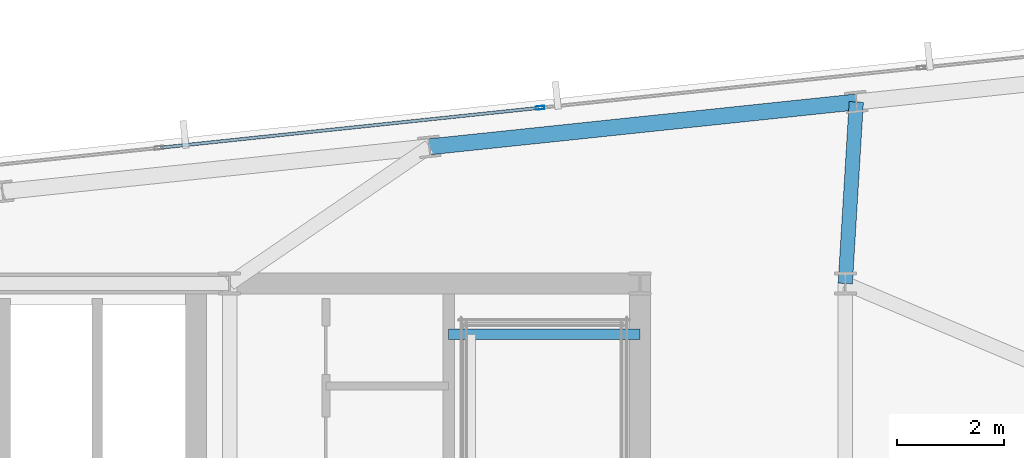
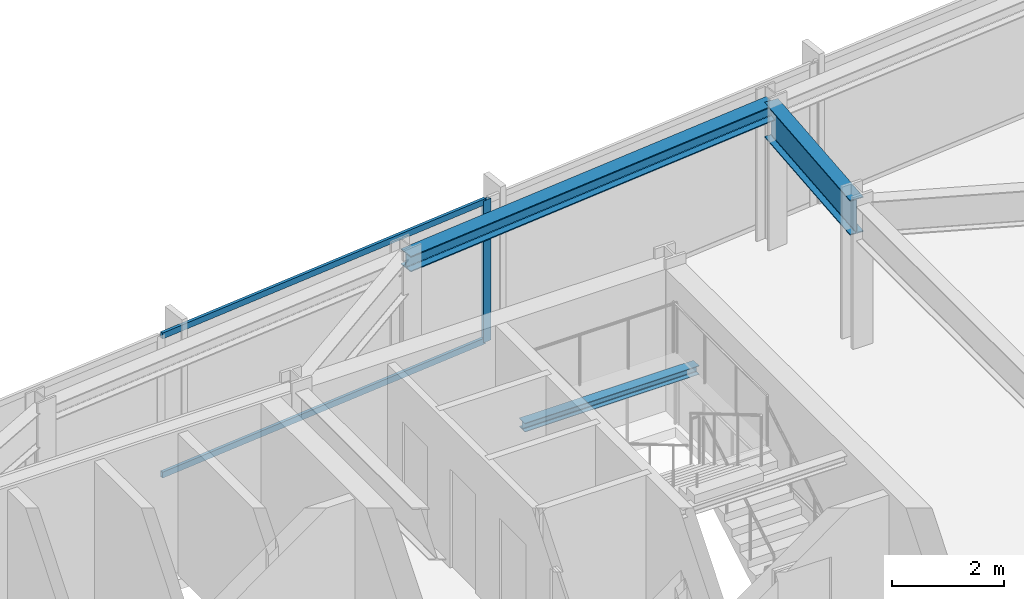
# One storey, part 23 of 32: 3 beams, 3 members, 1 element without a shape of its own.
"""IFC4 building model written with IfcOpenShell, lengths in metres."""

from ifc_helpers import new_model, si_unit, direction, frame, origin, origin_2d, place, context, subcontext, project, spatial, hollow_rectangle, i_section, extrude, material, material_profile, profile_set, type_object, element, aggregate, save


model = new_model("IFC4")

# Units and contexts
model_context = context("Model", 3, precision=1e-05, world=origin(), true_north=direction((0.0, 1.0)))
body_context = subcontext(model_context, "Body", "Model", "MODEL_VIEW")
ifc_project = project(units=[si_unit("LENGTHUNIT", "METRE"), si_unit("AREAUNIT", "SQUARE_METRE"), si_unit("VOLUMEUNIT", "CUBIC_METRE"), si_unit("PLANEANGLEUNIT", "RADIAN"), si_unit("MASSUNIT", "GRAM", prefix="KILO")], contexts=[model_context])

# Site, building, storey
site_placement = place(None, origin())
site = spatial("IfcSite", under=ifc_project, at=site_placement, CompositionType="ELEMENT")
building_placement = place(site_placement, origin())
building = spatial("IfcBuilding", under=site, at=building_placement, Name="Yelkora Congress Tower", CompositionType="ELEMENT")
storey_placement = place(building_placement, frame((0.0, 0.0, 207.800048828125)))
storey = spatial("IfcBuildingStorey", under=building, at=storey_placement, Name="L57", CompositionType="ELEMENT", Elevation=207.800048828125)

# Beams
ifc_material_1 = material(Name="Steel S355J2", Category="steel")
ifc_material_profile_1 = material_profile(ifc_material_1, i_section(OverallWidth=0.26708984375, OverallDepth=0.761962890625, WebThickness=0.014404296875, FlangeThickness=0.021484375, FilletRadius=0.01708984375, at=origin_2d()), Name="IPE 750x173")
ifc_profile_set_1 = profile_set([ifc_material_profile_1], Name="Steel S355J2")
beam_type_1 = type_object("IfcBeamType", Name="BM-GIRD-IPE750", PredefinedType="BEAM", material=ifc_profile_set_1)
beam_1_placement = place(storey_placement, frame((57.806640625, 49.5966796875, 2.698974609375), z_axis=(-0.060694337224, -0.998156399283, 0.0), x_axis=(0.998156399283, -0.060694337224, 0.0)))
element("IfcBeam", 1, at=beam_1_placement, inside=storey, type_object=beam_type_1, Name="L57 Primary Frame Girder N06", PredefinedType="BEAM", context=body_context, shape_type="SweptSolid", body=[
    extrude(i_section(OverallWidth=0.26708984375, OverallDepth=0.761962890625, WebThickness=0.014404296875, FlangeThickness=0.021484375, FilletRadius=0.01708984375, at=origin_2d()), origin(), (0.0, 0.0, 1.0), 3.403076171875),
])
ifc_material_profile_2 = material_profile(ifc_material_1, i_section(OverallWidth=0.199951171875, OverallDepth=0.18994140625, WebThickness=0.006591796875, FlangeThickness=0.010009765625, FilletRadius=0.01806640625, at=origin_2d()), Name="HEA 200")
ifc_profile_set_2 = profile_set([ifc_material_profile_2], Name="Steel S355J2")
beam_type_2 = type_object("IfcBeamType", Name="BM-LAND-HEA200", PredefinedType="BEAM", material=ifc_profile_set_2)
beam_2_placement = place(storey_placement, frame((50.179931640625, 45.25, 1.33447265625), z_axis=(1.0, 0.0, 0.0), x_axis=(0.0, 1.0, 0.0)))
element("IfcBeam", 2, at=beam_2_placement, inside=storey, type_object=beam_type_2, Name="ST-02 L57 Landing Header Beam 1N", PredefinedType="BEAM", context=body_context, shape_type="SweptSolid", body=[
    extrude(i_section(OverallWidth=0.199951171875, OverallDepth=0.18994140625, WebThickness=0.006591796875, FlangeThickness=0.010009765625, FilletRadius=0.01806640625, at=origin_2d()), origin(), (0.0, 0.0, 1.0), 3.580078125),
])
ifc_material_profile_3 = material_profile(ifc_material_1, i_section(OverallWidth=0.300048828125, OverallDepth=0.340087890625, WebThickness=0.011962890625, FlangeThickness=0.021484375, FilletRadius=0.027099609375, at=origin_2d()), Name="HEB 340")
ifc_profile_set_3 = profile_set([ifc_material_profile_3], Name="Steel S355J2")
beam_type_3 = type_object("IfcBeamType", Name="BM-SPAN-HEB340", PredefinedType="SPANDREL", material=ifc_profile_set_3)
beam_3_placement = place(storey_placement, frame((57.806640625, 49.5966796875, 2.909912109375), z_axis=(-0.994523256947, -0.104515507904, 0.0), x_axis=(0.104515507904, -0.994523256947, 0.0)))
element("IfcBeam", 3, at=beam_3_placement, inside=storey, type_object=beam_type_3, Name="L57 Perimeter Beam 14", PredefinedType="SPANDREL", context=body_context, shape_type="SweptSolid", body=[
    extrude(i_section(OverallWidth=0.300048828125, OverallDepth=0.340087890625, WebThickness=0.011962890625, FlangeThickness=0.021484375, FilletRadius=0.027099609375, at=origin_2d()), origin(), (0.0, 0.0, 1.0), 8.033203125),
])

# Curtain wall, members
ifc_material_2 = material(Name="Anodised aluminium and insulated glass", Category="aluminium")
curtain_wall_type = type_object("IfcCurtainWallType", Name="CW-SYS-B4", PredefinedType="NOTDEFINED", material=ifc_material_2)
curtain_wall_placement = place(storey_placement, origin())
curtain_wall = element("IfcCurtainWall", 4, at=curtain_wall_placement, inside=storey, type_object=curtain_wall_type, Name="L57 Unitised Curtain Wall 10 (3)", PredefinedType="NOTDEFINED")
ifc_material_3 = material(Name="Anodised aluminium 6063-T6", Category="aluminium")
ifc_material_profile_4 = material_profile(ifc_material_3, hollow_rectangle(XDim=0.06494140625, YDim=0.159912109375, WallThickness=0.00390625, at=origin_2d()), Name="ALU 65x160x4")
ifc_profile_set_4 = profile_set([ifc_material_profile_4], Name="Anodised aluminium 6063-T6")
member_type_1 = type_object("IfcMemberType", Name="MEM-ML-B4", PredefinedType="MULLION", material=ifc_profile_set_4)
member_1_placement = place(storey_placement, frame((51.888916015625, 49.487548828125, 0.0), z_axis=(0.0, 0.0, 1.0), x_axis=(-0.104527724021, 0.994521973066, 0.0)))
member_1 = element("IfcMember", 5, at=member_1_placement, type_object=member_type_1, Name="CW-B4 mullion 5", PredefinedType="MULLION", context=body_context, shape_type="SweptSolid", body=[
    extrude(hollow_rectangle(XDim=0.06494140625, YDim=0.159912109375, WallThickness=0.00390625, at=origin_2d()), origin(), (0.0, 0.0, 1.0), 3.079833984375),
])
ifc_material_profile_5 = material_profile(ifc_material_3, hollow_rectangle(XDim=0.06005859375, YDim=0.1298828125, WallThickness=0.00390625, at=origin_2d()), Name="ALU 60x130x4")
ifc_profile_set_5 = profile_set([ifc_material_profile_5], Name="Anodised aluminium 6063-T6")
member_type_2 = type_object("IfcMemberType", Name="MEM-TR-B4", PredefinedType="USERDEFINED", material=ifc_profile_set_5)
member_2_placement = place(storey_placement, frame((44.79052734375, 48.74169921875, 0.030029296875), z_axis=(0.99452200925, 0.104527379751, 0.0), x_axis=(-0.104527379751, 0.99452200925, 0.0)))
member_2 = element("IfcMember", 6, at=member_2_placement, type_object=member_type_2, Name="CW-B4 transom 4.1", ObjectType="TRANSOM", PredefinedType="USERDEFINED", context=body_context, shape_type="SweptSolid", body=[
    extrude(hollow_rectangle(XDim=0.06005859375, YDim=0.1298828125, WallThickness=0.00390625, at=origin_2d()), origin(), (0.0, 0.0, 1.0), 7.10498046875),
])
member_3_placement = place(storey_placement, frame((44.79052734375, 48.74169921875, 3.050048828125), z_axis=(0.99452200925, 0.104527379751, 0.0), x_axis=(-0.104527379751, 0.99452200925, 0.0)))
member_3 = element("IfcMember", 7, at=member_3_placement, type_object=member_type_2, Name="CW-B4 transom 4.2", ObjectType="TRANSOM", PredefinedType="USERDEFINED", context=body_context, shape_type="SweptSolid", body=[
    extrude(hollow_rectangle(XDim=0.06005859375, YDim=0.1298828125, WallThickness=0.00390625, at=origin_2d()), origin(), (0.0, 0.0, 1.0), 7.10498046875),
])
aggregate(curtain_wall, [member_1, member_2, member_3])

save(model, "model.ifc")
